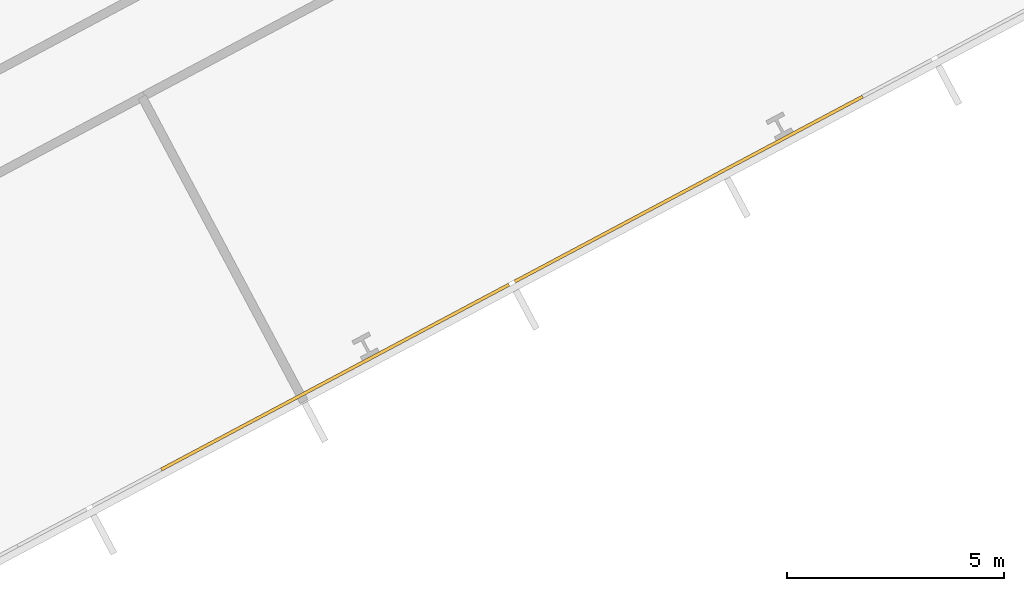
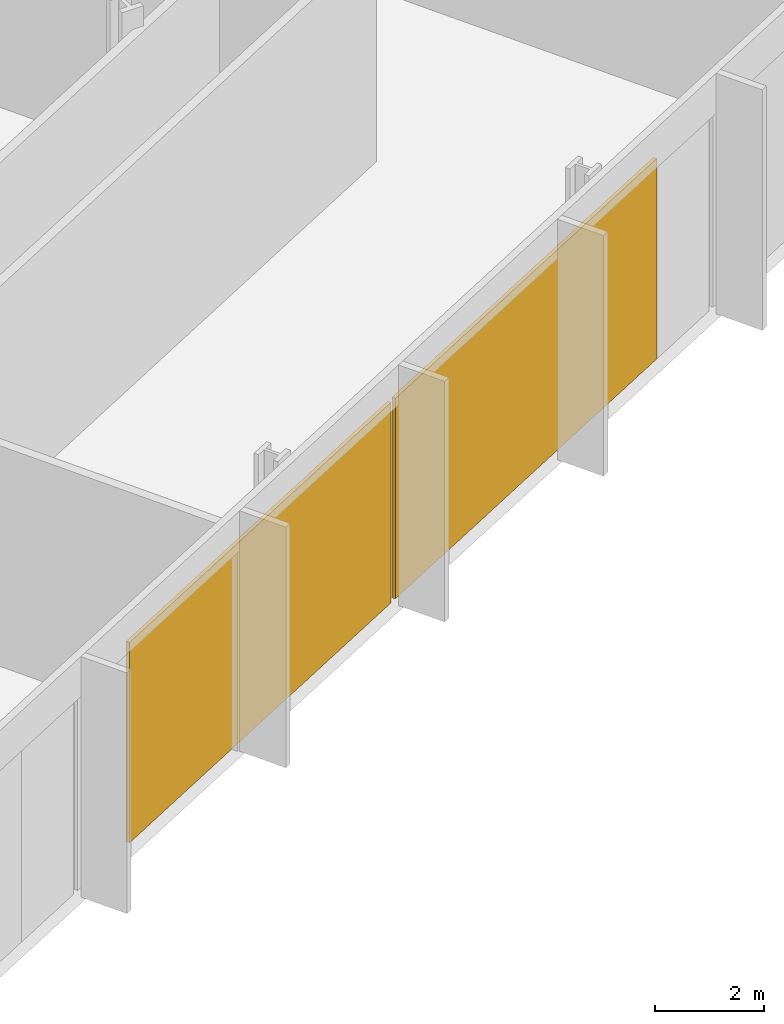
# One storey, part 28 of 31: 2 coverings, 1 element without a shape of its own.
"""IFC4 building model written with IfcOpenShell, lengths in metres."""

from ifc_helpers import new_model, si_unit, direction, frame, origin, origin_2d, place, context, subcontext, project, spatial, rectangle, extrude, material, layer, layer_set, type_object, element, aggregate, save


model = new_model("IFC4")

# Units and contexts
model_context = context("Model", 3, precision=1e-05, world=origin(), true_north=direction((0.0, 1.0)))
body_context = subcontext(model_context, "Body", "Model", "MODEL_VIEW")
ifc_project = project(units=[si_unit("LENGTHUNIT", "METRE"), si_unit("AREAUNIT", "SQUARE_METRE"), si_unit("VOLUMEUNIT", "CUBIC_METRE"), si_unit("PLANEANGLEUNIT", "RADIAN"), si_unit("MASSUNIT", "GRAM", prefix="KILO")], contexts=[model_context])

# Site, building, storey
site_placement = place(None, origin())
site = spatial("IfcSite", under=ifc_project, at=site_placement, CompositionType="ELEMENT")
building_placement = place(site_placement, origin())
building = spatial("IfcBuilding", under=site, at=building_placement, Name="Cormorant Relay Tower", CompositionType="ELEMENT")
storey_placement = place(building_placement, frame((0.0, 0.0, 12.199951171875)))
storey = spatial("IfcBuildingStorey", under=building, at=storey_placement, Name="L02", CompositionType="ELEMENT", Elevation=12.199951171875)

# Curtain wall, coverings
ifc_material_1 = material(Name="Aluminium 6063-T6 anodised bronze", Category="aluminium")
ifc_layer_1 = layer(ifc_material_1, 0.235107421875)
ifc_layer_set_1 = layer_set([ifc_layer_1], Name="CW6 data hall curtain wall with mineral wool panels")
curtain_wall_type = type_object("IfcCurtainWallType", Name="CW6 data hall curtain wall with mineral wool panels", PredefinedType="NOTDEFINED", material=ifc_layer_set_1)
curtain_wall_placement = place(storey_placement, origin())
curtain_wall = element("IfcCurtainWall", 1, at=curtain_wall_placement, inside=storey, type_object=curtain_wall_type, Name="CW6 curtain wall 2", PredefinedType="NOTDEFINED")
ifc_material_2 = material(Name="Mineral wool cored anodised bronze aluminium cassette panel", Category="aluminium")
ifc_layer_2 = layer(ifc_material_2, 0.074951171875)
ifc_layer_set_2 = layer_set([ifc_layer_2], Name="CW6 mineral wool cassette panel 75")
covering_type = type_object("IfcCoveringType", Name="CW6 mineral wool cassette panel 75", PredefinedType="CLADDING", material=ifc_layer_set_2)
covering_1_placement = place(storey_placement, frame((52.127685546875, 3.890380859375, 0.0), z_axis=(0.0, 0.0, 1.0), x_axis=(0.882947592859, 0.469471562786, 0.0)))
covering_1 = element("IfcCovering", 2, at=covering_1_placement, type_object=covering_type, Name="CW6 panel S10", PredefinedType="CLADDING", context=body_context, shape_type="SweptSolid", body=[
    extrude(rectangle(XDim=9.07373046875, YDim=0.074951171875, at=origin_2d()), origin(), (0.0, 0.0, 1.0), 4.5),
])
covering_2_placement = place(storey_placement, frame((60.27197265625, 8.220703125, 0.0), z_axis=(0.0, 0.0, 1.0), x_axis=(0.882947592859, 0.469471562786, 0.0)))
covering_2 = element("IfcCovering", 3, at=covering_2_placement, type_object=covering_type, Name="CW6 panel S11", PredefinedType="CLADDING", context=body_context, shape_type="SweptSolid", body=[
    extrude(rectangle(XDim=9.07373046875, YDim=0.074951171875, at=origin_2d()), origin(), (0.0, 0.0, 1.0), 4.5),
])
aggregate(curtain_wall, [covering_1, covering_2])

save(model, "model.ifc")
